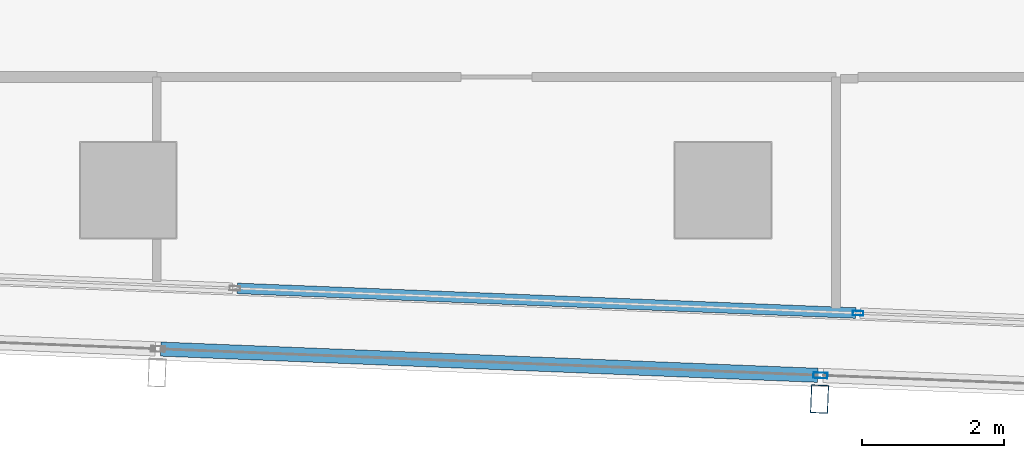
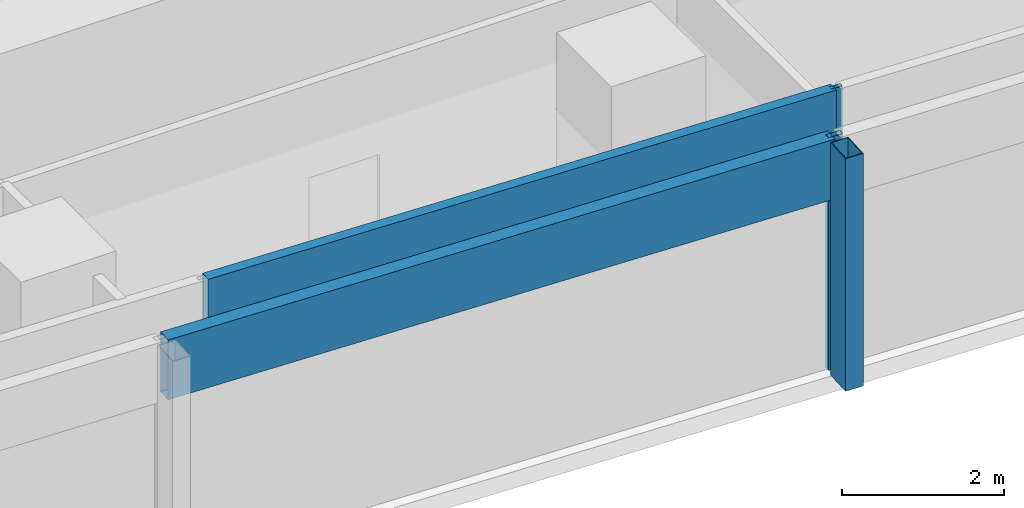
# One storey, part 7 of 33: 5 members, 2 elements without a shape of their own.
"""IFC4 building model written with IfcOpenShell, lengths in metres."""

from ifc_helpers import new_model, si_unit, direction, frame, origin, origin_2d, place, context, subcontext, project, spatial, hollow_rectangle, extrude, material, material_profile, profile_set, type_object, element, aggregate, save


model = new_model("IFC4")

# Units and contexts
model_context = context("Model", 3, precision=1e-05, world=origin(), true_north=direction((0.0, 1.0)))
body_context = subcontext(model_context, "Body", "Model", "MODEL_VIEW")
ifc_project = project(units=[si_unit("LENGTHUNIT", "METRE"), si_unit("AREAUNIT", "SQUARE_METRE"), si_unit("VOLUMEUNIT", "CUBIC_METRE"), si_unit("PLANEANGLEUNIT", "RADIAN"), si_unit("MASSUNIT", "GRAM", prefix="KILO")], contexts=[model_context])

# Site, building, storey
site_placement = place(None, origin())
site = spatial("IfcSite", under=ifc_project, at=site_placement, CompositionType="ELEMENT")
building_placement = place(site_placement, origin())
building = spatial("IfcBuilding", under=site, at=building_placement, Name="Rekha Terrace Tower", CompositionType="ELEMENT")
storey_placement = place(building_placement, frame((0.0, 0.0, 206.449951171875)))
storey = spatial("IfcBuildingStorey", under=building, at=storey_placement, Name="L52", CompositionType="ELEMENT", Elevation=206.449951171875)

# Curtain wall, member
ifc_material_1 = material(Name="Aluminium framing", Category="aluminium")
curtain_wall_type_1 = type_object("IfcCurtainWallType", Name="CW2 double skin outer glazing", PredefinedType="USERDEFINED", material=ifc_material_1)
curtain_wall_1_placement = place(storey_placement, origin())
curtain_wall_1 = element("IfcCurtainWall", 1, at=curtain_wall_1_placement, inside=storey, type_object=curtain_wall_type_1, Name="CW2 double skin outer glazing", ObjectType="DOUBLE SKIN OUTER GLAZING", PredefinedType="USERDEFINED")
ifc_material_2 = material(Name="Steel S355 with fluorocarbon finish", Category="steel")
ifc_material_profile_1 = material_profile(ifc_material_2, hollow_rectangle(XDim=0.25, YDim=0.39990234375, WallThickness=0.012451171875, at=origin_2d()), Name="RHS400x250x12.5")
ifc_profile_set_1 = profile_set([ifc_material_profile_1], Name="Steel S355 with fluorocarbon finish")
member_type_1 = type_object("IfcMemberType", Name="BL1 facade blade RHS 400 x 250", PredefinedType="USERDEFINED", material=ifc_profile_set_1)
member_1_placement = place(storey_placement, frame((34.9638671875, 13.84912109375, 0.0), z_axis=(0.0, 0.0, 1.0), x_axis=(0.999204797763, -0.039871946621, 0.0)))
member_1 = element("IfcMember", 2, at=member_1_placement, type_object=member_type_1, Name="Facade blade", ObjectType="FACADE BLADE", PredefinedType="USERDEFINED", context=body_context, shape_type="SweptSolid", body=[
    extrude(hollow_rectangle(XDim=0.25, YDim=0.39990234375, WallThickness=0.012451171875, at=origin_2d()), origin(), (0.0, 0.0, 1.0), 3.5),
])

# Curtain wall, members
curtain_wall_type_2 = type_object("IfcCurtainWallType", Name="CW1 double skin inner glazing", PredefinedType="USERDEFINED", material=ifc_material_1)
curtain_wall_2_placement = place(storey_placement, origin())
curtain_wall_2 = element("IfcCurtainWall", 3, at=curtain_wall_2_placement, inside=storey, type_object=curtain_wall_type_2, Name="CW1 double skin inner glazing", ObjectType="DOUBLE SKIN INNER GLAZING", PredefinedType="USERDEFINED")
ifc_material_3 = material(Name="Aluminium mullion section", Category="aluminium")
ifc_material_profile_2 = material_profile(ifc_material_3, hollow_rectangle(XDim=0.06494140625, YDim=0.14990234375, WallThickness=0.00390625, at=origin_2d()), Name="AL RHS 65x150")
ifc_profile_set_2 = profile_set([ifc_material_profile_2], Name="Aluminium mullion section")
member_type_2 = type_object("IfcMemberType", Name="CW1 mullion RHS 65 x 150", PredefinedType="MULLION", material=ifc_profile_set_2)
member_2_placement = place(storey_placement, frame((35.507568359375, 15.063232421875, 0.0), z_axis=(0.0, 0.0, 1.0), x_axis=(0.039872497061, 0.999204775798, 0.0)))
member_2 = element("IfcMember", 4, at=member_2_placement, type_object=member_type_2, Name="CW1 mullion 4", PredefinedType="MULLION", context=body_context, shape_type="SweptSolid", body=[
    extrude(hollow_rectangle(XDim=0.06494140625, YDim=0.14990234375, WallThickness=0.00390625, at=origin_2d()), origin(), (0.0, 0.0, 1.0), 3.5),
])
ifc_material_4 = material(Name="Insulated aluminium spandrel box", Category="aluminium")
ifc_material_profile_3 = material_profile(ifc_material_4, hollow_rectangle(XDim=0.14990234375, YDim=0.89990234375, WallThickness=0.0029296875, at=origin_2d()), Name="AL SPANDREL BOX 150x900")
ifc_profile_set_3 = profile_set([ifc_material_profile_3], Name="Insulated aluminium spandrel box")
member_type_3 = type_object("IfcMemberType", Name="CW1 spandrel transom 150 x 900", PredefinedType="USERDEFINED", material=ifc_profile_set_3)
member_3_placement = place(storey_placement, frame((26.73583984375, 15.413330078125, 3.050048828125), z_axis=(0.999205233714, -0.039861020051, 0.0), x_axis=(0.039861020051, 0.999205233714, 0.0)))
member_3 = element("IfcMember", 5, at=member_3_placement, type_object=member_type_3, Name="CW1 spandrel transom 3", ObjectType="TRANSOM", PredefinedType="USERDEFINED", context=body_context, shape_type="SweptSolid", body=[
    extrude(hollow_rectangle(XDim=0.14990234375, YDim=0.89990234375, WallThickness=0.0029296875, at=origin_2d()), origin(), (0.0, 0.0, 1.0), 8.74609375),
])
aggregate(curtain_wall_2, [member_2, member_3])

# Member
ifc_material_profile_4 = material_profile(ifc_material_3, hollow_rectangle(XDim=0.080078125, YDim=0.199951171875, WallThickness=0.00390625, at=origin_2d()), Name="AL RHS 80x200")
ifc_profile_set_4 = profile_set([ifc_material_profile_4], Name="Aluminium mullion section")
member_type_4 = type_object("IfcMemberType", Name="CW2 mullion RHS 80 x 200", PredefinedType="MULLION", material=ifc_profile_set_4)
member_4_placement = place(storey_placement, frame((34.97705078125, 14.183837890625, 0.0), z_axis=(0.0, 0.0, 1.0), x_axis=(0.039872497044, 0.999204775799, 0.0)))
member_4 = element("IfcMember", 6, at=member_4_placement, type_object=member_type_4, Name="CW2 mullion 4", PredefinedType="MULLION", context=body_context, shape_type="SweptSolid", body=[
    extrude(hollow_rectangle(XDim=0.080078125, YDim=0.199951171875, WallThickness=0.00390625, at=origin_2d()), origin(), (0.0, 0.0, 1.0), 3.5),
])

ifc_material_profile_5 = material_profile(ifc_material_4, hollow_rectangle(XDim=0.199951171875, YDim=0.89990234375, WallThickness=0.0029296875, at=origin_2d()), Name="AL SPANDREL BOX 200x900")
ifc_profile_set_5 = profile_set([ifc_material_profile_5], Name="Insulated aluminium spandrel box")
member_type_5 = type_object("IfcMemberType", Name="CW2 spandrel transom 200 x 900", PredefinedType="USERDEFINED", material=ifc_profile_set_5)
member_5_placement = place(storey_placement, frame((25.658447265625, 14.5556640625, 3.050048828125), z_axis=(0.999204356934, -0.039882992408, 0.0), x_axis=(0.039882992408, 0.999204356934, 0.0)))
member_5 = element("IfcMember", 7, at=member_5_placement, type_object=member_type_5, Name="CW2 spandrel transom 3", ObjectType="TRANSOM", PredefinedType="USERDEFINED", context=body_context, shape_type="SweptSolid", body=[
    extrude(hollow_rectangle(XDim=0.199951171875, YDim=0.89990234375, WallThickness=0.0029296875, at=origin_2d()), origin(), (0.0, 0.0, 1.0), 9.2861328125),
])

aggregate(curtain_wall_1, [member_4, member_5, member_1])

save(model, "model.ifc")
